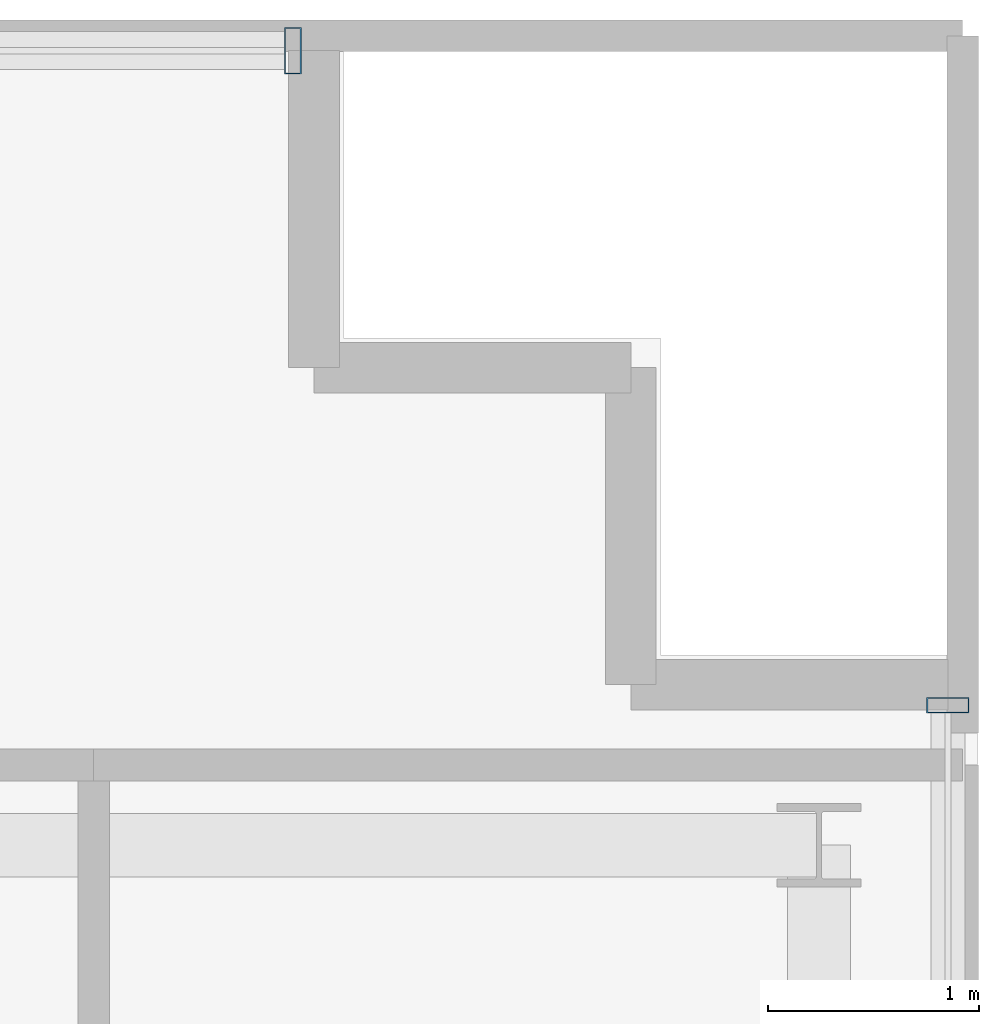
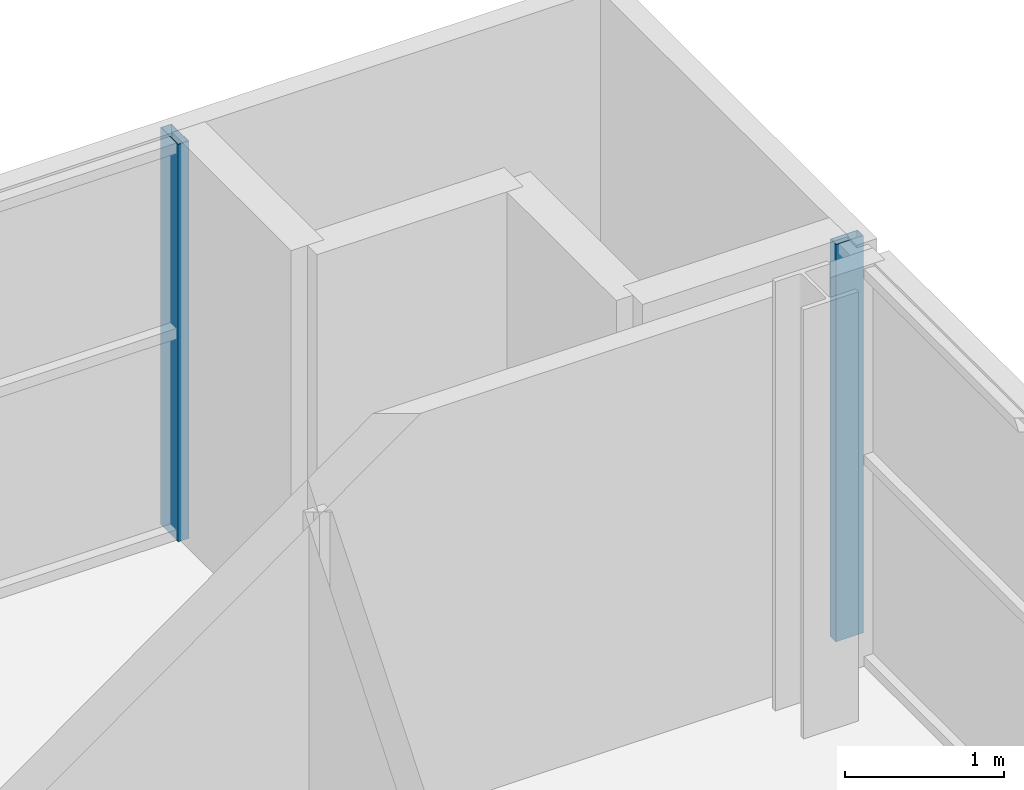
# One storey, part 13 of 21: 2 members, 2 elements without a shape of their own.
"""IFC4 building model written with IfcOpenShell, lengths in metres."""

from ifc_helpers import new_model, si_unit, direction, frame, origin, origin_2d, place, context, subcontext, project, spatial, hollow_rectangle, extrude, source, transform, mapped, material, layer, layer_set, material_profile, profile_set, type_object, element, aggregate, save


model = new_model("IFC4")

# Units and contexts
model_context = context("Model", 3, precision=1e-05, world=origin(), true_north=direction((0.0, 1.0)))
body_context = subcontext(model_context, "Body", "Model", "MODEL_VIEW")
ifc_project = project(units=[si_unit("LENGTHUNIT", "METRE"), si_unit("AREAUNIT", "SQUARE_METRE"), si_unit("VOLUMEUNIT", "CUBIC_METRE"), si_unit("PLANEANGLEUNIT", "RADIAN"), si_unit("MASSUNIT", "GRAM", prefix="KILO")], contexts=[model_context])

# Site, building, storey
site_placement = place(None, origin())
site = spatial("IfcSite", under=ifc_project, at=site_placement, CompositionType="ELEMENT")
building_placement = place(site_placement, origin())
building = spatial("IfcBuilding", under=site, at=building_placement, Name="Zarnakvel Exchange Tower", CompositionType="ELEMENT")
storey_placement = place(building_placement, frame((0.0, 0.0, 185.800048828125)))
storey = spatial("IfcBuildingStorey", under=building, at=storey_placement, Name="L52", CompositionType="ELEMENT", Elevation=185.800048828125)

# Curtain wall, member
ifc_material = material(Name="Architectural Bronze Anodised Aluminium", Category="aluminium")
ifc_layer_1 = layer(ifc_material, 0.199951171875)
ifc_layer_set_1 = layer_set([ifc_layer_1], Name="Architectural Bronze Anodised Aluminium")
curtain_wall_type_1 = type_object("IfcCurtainWallType", Name="CW-04", PredefinedType="NOTDEFINED", material=ifc_layer_set_1)
curtain_wall_1_placement = place(storey_placement, origin())
curtain_wall_1 = element("IfcCurtainWall", 1, at=curtain_wall_1_placement, inside=storey, type_object=curtain_wall_type_1, Name="L52 Curtain Wall CW-L52-E1 (CW-04)", PredefinedType="NOTDEFINED")
ifc_material_profile_1 = material_profile(ifc_material, hollow_rectangle(XDim=0.199951171875, YDim=0.074951171875, WallThickness=0.0048828125, at=origin_2d()))
ifc_profile_set_1 = profile_set([ifc_material_profile_1], Name="Architectural Bronze Anodised Aluminium")
member_type_1 = type_object("IfcMemberType", Name="CWM-04", PredefinedType="MULLION", material=ifc_profile_set_1)
shared_shape_1 = source(origin(), body_context, "Body", "SweptSolid", [
    extrude(hollow_rectangle(XDim=0.199951171875, YDim=0.074951171875, WallThickness=0.0048828125, at=origin_2d()), origin(), (0.0, 0.0, 1.0), 3.054931640625),
])
member_1_placement = place(storey_placement, frame((26.4599609375, 14.16259765625, 0.0), z_axis=(0.0, 0.0, 1.0), x_axis=(-1.0, 0.0, 0.0)))
member_1 = element("IfcMember", 2, at=member_1_placement, type_object=member_type_1, Name="CW-04 mullion 5", PredefinedType="MULLION", context=body_context, shape_type="MappedRepresentation", body=[
    mapped(shared_shape_1, transform((0.0, 0.0, 0.0), x_axis=(1.0, 0.0, 0.0), y_axis=(0.0, 1.0, 0.0), z_axis=(0.0, 0.0, 1.0), scale=1.0)),
])
aggregate(curtain_wall_1, [member_1])

ifc_layer_2 = layer(ifc_material, 0.219970703125)
ifc_layer_set_2 = layer_set([ifc_layer_2], Name="Architectural Bronze Anodised Aluminium")
curtain_wall_type_2 = type_object("IfcCurtainWallType", Name="CW-03", PredefinedType="NOTDEFINED", material=ifc_layer_set_2)
curtain_wall_2_placement = place(storey_placement, origin())
curtain_wall_2 = element("IfcCurtainWall", 3, at=curtain_wall_2_placement, inside=storey, type_object=curtain_wall_type_2, Name="L52 Curtain Wall CW-L52-N1 (CW-03)", PredefinedType="NOTDEFINED")
ifc_material_profile_2 = material_profile(ifc_material, hollow_rectangle(XDim=0.219970703125, YDim=0.080078125, WallThickness=0.0048828125, at=origin_2d()))
ifc_profile_set_2 = profile_set([ifc_material_profile_2], Name="Architectural Bronze Anodised Aluminium")
member_type_2 = type_object("IfcMemberType", Name="CWM-03", PredefinedType="MULLION", material=ifc_profile_set_2)
shared_shape_2 = source(origin(), body_context, "Body", "SweptSolid", [
    extrude(hollow_rectangle(XDim=0.219970703125, YDim=0.080078125, WallThickness=0.0048828125, at=origin_2d()), origin(), (0.0, 0.0, 1.0), 3.054931640625),
])
member_2_placement = place(storey_placement, frame((23.360107421875, 17.260009765625, 0.0), z_axis=(0.0, 0.0, 1.0), x_axis=(0.0, 1.0, 0.0)))
member_2 = element("IfcMember", 4, at=member_2_placement, type_object=member_type_2, Name="CW-03 mullion 7", PredefinedType="MULLION", context=body_context, shape_type="MappedRepresentation", body=[
    mapped(shared_shape_2, transform((0.0, 0.0, 0.0), x_axis=(1.0, 0.0, 0.0), y_axis=(0.0, 1.0, 0.0), z_axis=(0.0, 0.0, 1.0), scale=1.0)),
])
aggregate(curtain_wall_2, [member_2])

save(model, "model.ifc")
